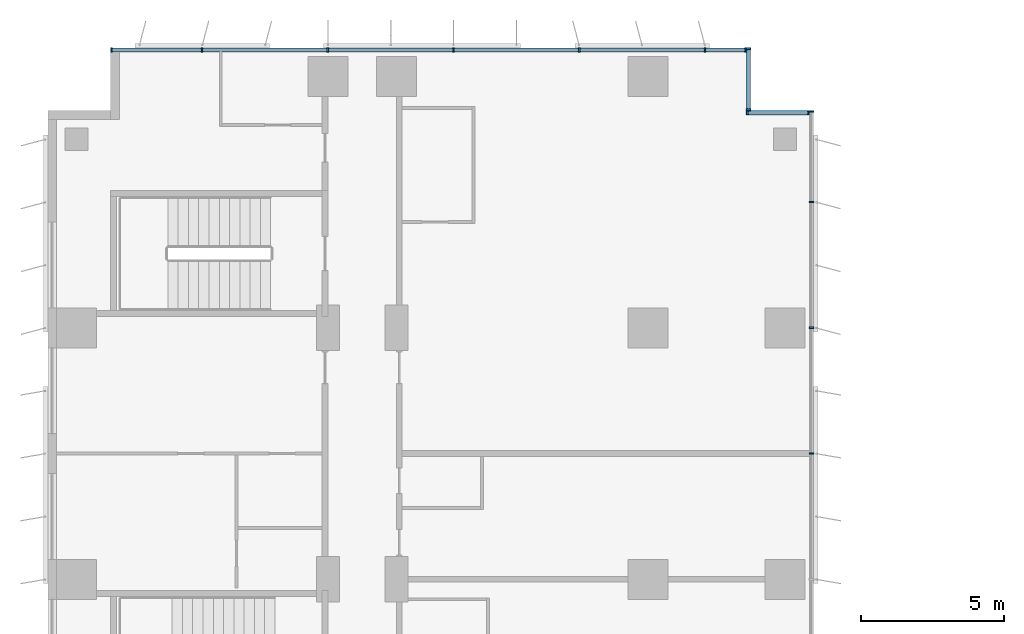
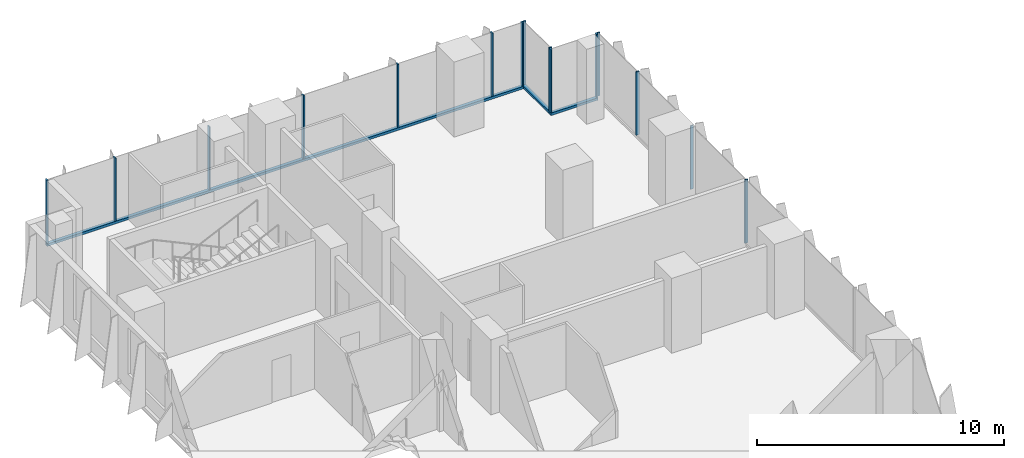
# One storey, part 9 of 24: 18 members, 4 elements without a shape of their own.
"""IFC4 building model written with IfcOpenShell, lengths in metres."""

from ifc_helpers import new_model, si_unit, direction, frame, origin, origin_2d, place, context, subcontext, project, spatial, rectangle, extrude, source, transform, mapped, material, material_profile, profile_set, type_object, element, aggregate, save


model = new_model("IFC4")

# Units and contexts
model_context = context("Model", 3, precision=1e-05, world=origin(), true_north=direction((0.0, 1.0)))
body_context = subcontext(model_context, "Body", "Model", "MODEL_VIEW")
ifc_project = project(units=[si_unit("LENGTHUNIT", "METRE"), si_unit("AREAUNIT", "SQUARE_METRE"), si_unit("VOLUMEUNIT", "CUBIC_METRE"), si_unit("PLANEANGLEUNIT", "RADIAN"), si_unit("MASSUNIT", "GRAM", prefix="KILO")], contexts=[model_context])

# Site, building, storey
site_placement = place(None, origin())
site = spatial("IfcSite", under=ifc_project, at=site_placement, CompositionType="ELEMENT")
building_placement = place(site_placement, origin())
building = spatial("IfcBuilding", under=site, at=building_placement, Name="Kemantara Hotel Tower", CompositionType="ELEMENT")
storey_placement = place(building_placement, frame((0.0, 0.0, 79.699951171875)))
storey = spatial("IfcBuildingStorey", under=building, at=storey_placement, Name="L18", CompositionType="ELEMENT", Elevation=79.699951171875)

# Curtain wall, member
ifc_material_1 = material(Name="Low-E tinted double insulated glass 36 mm", Category="glass")
curtain_wall_type = type_object("IfcCurtainWallType", Name="TOWER CURTAIN WALL, FRONT FACES", PredefinedType="USERDEFINED", material=ifc_material_1)
curtain_wall_1_placement = place(storey_placement, origin())
curtain_wall_1 = element("IfcCurtainWall", 1, at=curtain_wall_1_placement, inside=storey, type_object=curtain_wall_type, Name="CW4 L18 T1-R11-1", ObjectType="TOWER CURTAIN WALL, FRONT FACES", PredefinedType="USERDEFINED")
ifc_material_2 = material(Name="Aluminium 6063-T6 bronze anodised", Category="aluminium")
ifc_material_profile_1 = material_profile(ifc_material_2, rectangle(XDim=0.14990234375, YDim=0.1201171875, at=origin_2d()), Name="TOWER CURTAIN WALL, FRONT FACES TRANSOM")
ifc_profile_set_1 = profile_set([ifc_material_profile_1], Name="Aluminium 6063-T6 bronze anodised")
member_type_1 = type_object("IfcMemberType", Name="TOWER CURTAIN WALL, FRONT FACES TRANSOM", PredefinedType="USERDEFINED", material=ifc_profile_set_1)
member_1_placement = place(storey_placement, frame((24.449951171875, 81.125, 0.06005859375), z_axis=(-1.0, 0.0, 0.0), x_axis=(0.0, -1.0, 0.0)))
member_1 = element("IfcMember", 2, at=member_1_placement, type_object=member_type_1, Name="CW4 sill transom T1-R11-1", ObjectType="TRANSOM", PredefinedType="USERDEFINED", context=body_context, shape_type="SweptSolid", body=[
    extrude(rectangle(XDim=0.14990234375, YDim=0.1201171875, at=origin_2d()), origin(), (0.0, 0.0, 1.0), 22.25),
])

curtain_wall_2_placement = place(storey_placement, origin())
curtain_wall_2 = element("IfcCurtainWall", 3, at=curtain_wall_2_placement, inside=storey, type_object=curtain_wall_type, Name="CW4 L18 T1-R09-1", ObjectType="TOWER CURTAIN WALL, FRONT FACES", PredefinedType="USERDEFINED")
member_2_placement = place(storey_placement, frame((26.64990234375, 78.925048828125, 0.06005859375), z_axis=(-1.0, 0.0, 0.0), x_axis=(0.0, -1.0, 0.0)))
member_2 = element("IfcMember", 4, at=member_2_placement, type_object=member_type_1, Name="CW4 sill transom T1-R09-1", ObjectType="TRANSOM", PredefinedType="USERDEFINED", context=body_context, shape_type="SweptSolid", body=[
    extrude(rectangle(XDim=0.14990234375, YDim=0.1201171875, at=origin_2d()), origin(), (0.0, 0.0, 1.0), 2.199951171875),
])

curtain_wall_3_placement = place(storey_placement, origin())
curtain_wall_3 = element("IfcCurtainWall", 5, at=curtain_wall_3_placement, inside=storey, type_object=curtain_wall_type, Name="CW4 L18 T1-R10-1", ObjectType="TOWER CURTAIN WALL, FRONT FACES", PredefinedType="USERDEFINED")
member_3_placement = place(storey_placement, frame((24.52490234375, 79.0, 0.06005859375), z_axis=(0.0, 1.0, 0.0), x_axis=(-1.0, 0.0, 0.0)))
member_3 = element("IfcMember", 6, at=member_3_placement, type_object=member_type_1, Name="CW4 sill transom T1-R10-1", ObjectType="TRANSOM", PredefinedType="USERDEFINED", context=body_context, shape_type="SweptSolid", body=[
    extrude(rectangle(XDim=0.14990234375, YDim=0.1201171875, at=origin_2d()), origin(), (0.0, 0.0, 1.0), 2.199951171875),
])

# Curtain wall, members
curtain_wall_4_placement = place(storey_placement, origin())
curtain_wall_4 = element("IfcCurtainWall", 7, at=curtain_wall_4_placement, inside=storey, type_object=curtain_wall_type, Name="CW4 L18 T1-R08-1", ObjectType="TOWER CURTAIN WALL, FRONT FACES", PredefinedType="USERDEFINED")
ifc_material_profile_2 = material_profile(ifc_material_2, rectangle(XDim=0.14990234375, YDim=0.06005859375, at=origin_2d()), Name="TOWER CURTAIN WALL, FRONT FACES MULLION")
ifc_profile_set_2 = profile_set([ifc_material_profile_2], Name="Aluminium 6063-T6 bronze anodised")
member_type_2 = type_object("IfcMemberType", Name="TOWER CURTAIN WALL, FRONT FACES MULLION", PredefinedType="MULLION", material=ifc_profile_set_2)
shared_shape = source(origin(), body_context, "Body", "SweptSolid", [
    extrude(rectangle(XDim=0.14990234375, YDim=0.06005859375, at=origin_2d()), origin(), (0.0, 0.0, 1.0), 3.1298828125),
])
member_4_placement = place(storey_placement, frame((26.72509765625, 67.0, 0.1201171875), z_axis=(0.0, 0.0, 1.0), x_axis=(-1.0, 0.0, 0.0)))
member_4 = element("IfcMember", 8, at=member_4_placement, type_object=member_type_2, Name="CW4 mullion T1-R08-1.11", PredefinedType="MULLION", context=body_context, shape_type="MappedRepresentation", body=[
    mapped(shared_shape, transform((0.0, 0.0, 0.0))),
])
member_5_placement = place(storey_placement, frame((26.72509765625, 71.39990234375, 0.1201171875), z_axis=(0.0, 0.0, 1.0), x_axis=(-1.0, 0.0, 0.0)))
member_5 = element("IfcMember", 9, at=member_5_placement, type_object=member_type_2, Name="CW4 mullion T1-R08-1.12", PredefinedType="MULLION", context=body_context, shape_type="MappedRepresentation", body=[
    mapped(shared_shape, transform((0.0, 0.0, 0.0))),
])
member_6_placement = place(storey_placement, frame((26.72509765625, 75.800048828125, 0.1201171875), z_axis=(0.0, 0.0, 1.0), x_axis=(-1.0, 0.0, 0.0)))
member_6 = element("IfcMember", 10, at=member_6_placement, type_object=member_type_2, Name="CW4 mullion T1-R08-1.13", PredefinedType="MULLION", context=body_context, shape_type="MappedRepresentation", body=[
    mapped(shared_shape, transform((0.0, 0.0, 0.0))),
])
member_7_placement = place(storey_placement, frame((26.72509765625, 78.969970703125, 0.1201171875), z_axis=(0.0, 0.0, 1.0), x_axis=(-1.0, 0.0, 0.0)))
member_7 = element("IfcMember", 11, at=member_7_placement, type_object=member_type_2, Name="CW4 mullion T1-R08-1.14", PredefinedType="MULLION", context=body_context, shape_type="MappedRepresentation", body=[
    mapped(shared_shape, transform((0.0, 0.0, 0.0))),
])
aggregate(curtain_wall_4, [member_4, member_5, member_6, member_7])

# Member
member_8_placement = place(storey_placement, frame((24.419921875, 81.125, 0.1201171875), z_axis=(0.0, 0.0, 1.0), x_axis=(0.0, -1.0, 0.0)))
member_8 = element("IfcMember", 12, at=member_8_placement, type_object=member_type_2, Name="CW4 mullion T1-R11-1.1", PredefinedType="MULLION", context=body_context, shape_type="MappedRepresentation", body=[
    mapped(shared_shape, transform((0.0, 0.0, 0.0))),
])

member_9_placement = place(storey_placement, frame((23.0, 81.125, 0.1201171875), z_axis=(0.0, 0.0, 1.0), x_axis=(0.0, -1.0, 0.0)))
member_9 = element("IfcMember", 13, at=member_9_placement, type_object=member_type_2, Name="CW4 mullion T1-R11-1.2", PredefinedType="MULLION", context=body_context, shape_type="MappedRepresentation", body=[
    mapped(shared_shape, transform((0.0, 0.0, 0.0))),
])

member_10_placement = place(storey_placement, frame((18.60009765625, 81.125, 0.1201171875), z_axis=(0.0, 0.0, 1.0), x_axis=(0.0, -1.0, 0.0)))
member_10 = element("IfcMember", 14, at=member_10_placement, type_object=member_type_2, Name="CW4 mullion T1-R11-1.3", PredefinedType="MULLION", context=body_context, shape_type="MappedRepresentation", body=[
    mapped(shared_shape, transform((0.0, 0.0, 0.0))),
])

member_11_placement = place(storey_placement, frame((14.199951171875, 81.125, 0.1201171875), z_axis=(0.0, 0.0, 1.0), x_axis=(0.0, -1.0, 0.0)))
member_11 = element("IfcMember", 15, at=member_11_placement, type_object=member_type_2, Name="CW4 mullion T1-R11-1.4", PredefinedType="MULLION", context=body_context, shape_type="MappedRepresentation", body=[
    mapped(shared_shape, transform((0.0, 0.0, 0.0))),
])

member_12_placement = place(storey_placement, frame((9.800048828125, 81.125, 0.1201171875), z_axis=(0.0, 0.0, 1.0), x_axis=(0.0, -1.0, 0.0)))
member_12 = element("IfcMember", 16, at=member_12_placement, type_object=member_type_2, Name="CW4 mullion T1-R11-1.5", PredefinedType="MULLION", context=body_context, shape_type="MappedRepresentation", body=[
    mapped(shared_shape, transform((0.0, 0.0, 0.0))),
])

member_13_placement = place(storey_placement, frame((5.39990234375, 81.125, 0.1201171875), z_axis=(0.0, 0.0, 1.0), x_axis=(0.0, -1.0, 0.0)))
member_13 = element("IfcMember", 17, at=member_13_placement, type_object=member_type_2, Name="CW4 mullion T1-R11-1.6", PredefinedType="MULLION", context=body_context, shape_type="MappedRepresentation", body=[
    mapped(shared_shape, transform((0.0, 0.0, 0.0))),
])

member_14_placement = place(storey_placement, frame((2.22998046875, 81.125, 0.1201171875), z_axis=(0.0, 0.0, 1.0), x_axis=(0.0, -1.0, 0.0)))
member_14 = element("IfcMember", 18, at=member_14_placement, type_object=member_type_2, Name="CW4 mullion T1-R11-1.7", PredefinedType="MULLION", context=body_context, shape_type="MappedRepresentation", body=[
    mapped(shared_shape, transform((0.0, 0.0, 0.0))),
])

aggregate(curtain_wall_1, [member_1, member_8, member_9, member_10, member_11, member_12, member_13, member_14])

member_15_placement = place(storey_placement, frame((26.6201171875, 78.925048828125, 0.1201171875), z_axis=(0.0, 0.0, 1.0), x_axis=(0.0, -1.0, 0.0)))
member_15 = element("IfcMember", 19, at=member_15_placement, type_object=member_type_2, Name="CW4 mullion T1-R09-1.1", PredefinedType="MULLION", context=body_context, shape_type="MappedRepresentation", body=[
    mapped(shared_shape, transform((0.0, 0.0, 0.0))),
])

member_16_placement = place(storey_placement, frame((24.47998046875, 78.925048828125, 0.1201171875), z_axis=(0.0, 0.0, 1.0), x_axis=(0.0, -1.0, 0.0)))
member_16 = element("IfcMember", 20, at=member_16_placement, type_object=member_type_2, Name="CW4 mullion T1-R09-1.2", PredefinedType="MULLION", context=body_context, shape_type="MappedRepresentation", body=[
    mapped(shared_shape, transform((0.0, 0.0, 0.0))),
])

aggregate(curtain_wall_2, [member_2, member_15, member_16])

member_17_placement = place(storey_placement, frame((24.52490234375, 79.030029296875, 0.1201171875), z_axis=(0.0, 0.0, 1.0), x_axis=(-1.0, 0.0, 0.0)))
member_17 = element("IfcMember", 21, at=member_17_placement, type_object=member_type_2, Name="CW4 mullion T1-R10-1.1", PredefinedType="MULLION", context=body_context, shape_type="MappedRepresentation", body=[
    mapped(shared_shape, transform((0.0, 0.0, 0.0))),
])

member_18_placement = place(storey_placement, frame((24.52490234375, 81.169921875, 0.1201171875), z_axis=(0.0, 0.0, 1.0), x_axis=(-1.0, 0.0, 0.0)))
member_18 = element("IfcMember", 22, at=member_18_placement, type_object=member_type_2, Name="CW4 mullion T1-R10-1.2", PredefinedType="MULLION", context=body_context, shape_type="MappedRepresentation", body=[
    mapped(shared_shape, transform((0.0, 0.0, 0.0))),
])

aggregate(curtain_wall_3, [member_3, member_17, member_18])

save(model, "model.ifc")
